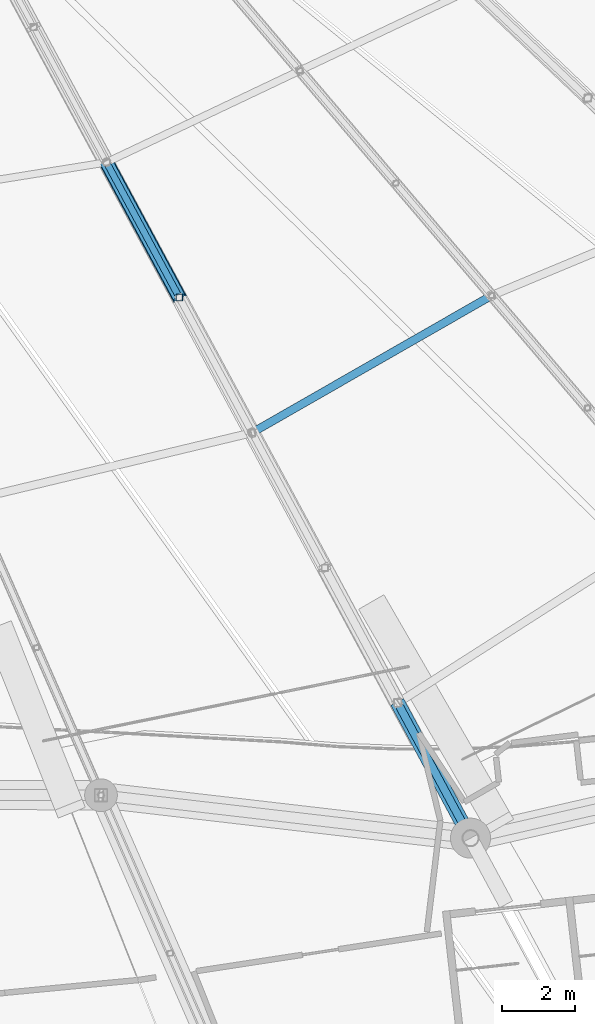
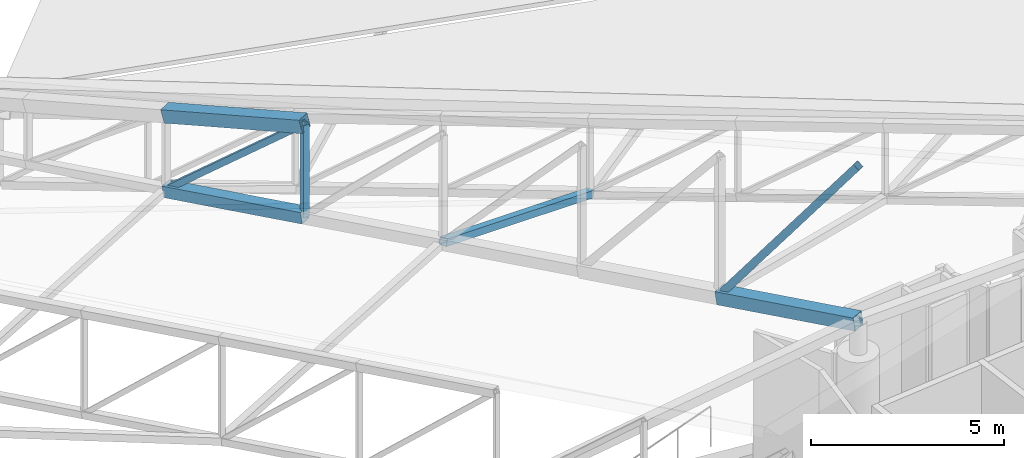
# One storey, part 74 of 344: 7 members.
"""IFC4 building model written with IfcOpenShell, lengths in metres."""

from ifc_helpers import new_model, si_unit, direction, frame, origin, origin_2d, place, context, subcontext, project, spatial, hollow_rectangle, extrude, material, material_profile, profile_set, type_object, element, save


model = new_model("IFC4")

# Units and contexts
model_context = context("Model", 3, precision=1e-05, world=origin(), true_north=direction((0.0, 1.0)))
body_context = subcontext(model_context, "Body", "Model", "MODEL_VIEW")
ifc_project = project(units=[si_unit("LENGTHUNIT", "METRE"), si_unit("AREAUNIT", "SQUARE_METRE"), si_unit("VOLUMEUNIT", "CUBIC_METRE"), si_unit("PLANEANGLEUNIT", "RADIAN"), si_unit("MASSUNIT", "GRAM", prefix="KILO")], contexts=[model_context])

# Site, building, storey
site_placement = place(None, origin())
site = spatial("IfcSite", under=ifc_project, at=site_placement, CompositionType="ELEMENT")
building_placement = place(site_placement, origin())
building = spatial("IfcBuilding", under=site, at=building_placement, Name="Meseta Stadium", CompositionType="ELEMENT")
storey_placement = place(building_placement, frame((0.0, 0.0, 24.0)))
storey = spatial("IfcBuildingStorey", under=building, at=storey_placement, Name="L04", CompositionType="ELEMENT", Elevation=24.0)

# Members
ifc_material_1 = material(Name="Steel S355", Category="steel")
ifc_material_profile_1 = material_profile(ifc_material_1, hollow_rectangle(XDim=0.179931640625, YDim=0.179931640625, WallThickness=0.00634765625, at=origin_2d()), Name="SHS 180x180x6.3")
ifc_profile_set_1 = profile_set([ifc_material_profile_1], Name="Steel S355")
member_type_1 = type_object("IfcMemberType", Name="SHS 180x180x6.3 diagonal", PredefinedType="BRACE", material=ifc_profile_set_1)
member_1_placement = place(storey_placement, frame((34.68212890625, -72.526123046875, 3.37158203125), z_axis=(0.359790502556, -0.667849867311, 0.65155763291), x_axis=(0.880372563769, 0.474282773209, 0.0)))
element("IfcMember", 1, at=member_1_placement, inside=storey, type_object=member_type_1, Name="ROOF TRUSS RT-50 diagonal", PredefinedType="BRACE", context=body_context, shape_type="SweptSolid", body=[
    extrude(hollow_rectangle(XDim=0.179931640625, YDim=0.179931640625, WallThickness=0.00634765625, at=origin_2d()), origin(), (0.0, 0.0, 1.0), 5.5595703125),
])
ifc_material_2 = material(Name="Steel S355", Category="steel")
ifc_material_profile_2 = material_profile(ifc_material_2, hollow_rectangle(XDim=0.179931640625, YDim=0.179931640625, WallThickness=0.00634765625, at=origin_2d()), Name="SHS 180x180x6.3")
ifc_profile_set_2 = profile_set([ifc_material_profile_2], Name="Steel S355")
member_type_2 = type_object("IfcMemberType", Name="SHS 180x180x6.3 post", PredefinedType="POST", material=ifc_profile_set_2)
member_2_placement = place(storey_placement, frame((36.682373046875, -76.239013671875, 4.085205078125), z_axis=(0.0, 0.0, 1.0), x_axis=(1.0, 0.0, 0.0)))
element("IfcMember", 2, at=member_2_placement, inside=storey, type_object=member_type_2, Name="ROOF TRUSS RT-50 post", PredefinedType="POST", context=body_context, shape_type="SweptSolid", body=[
    extrude(hollow_rectangle(XDim=0.179931640625, YDim=0.179931640625, WallThickness=0.00634765625, at=origin_2d()), origin(), (0.0, 0.0, 1.0), 2.90869140625),
])
ifc_material_3 = material(Name="Steel S355", Category="steel")
ifc_material_profile_3 = material_profile(ifc_material_3, hollow_rectangle(XDim=0.219970703125, YDim=0.219970703125, WallThickness=0.008056640625, at=origin_2d()), Name="SHS 220x220x8")
ifc_profile_set_3 = profile_set([ifc_material_profile_3], Name="Steel S355")
member_type_3 = type_object("IfcMemberType", Name="SHS 220x220x8 diagonal", PredefinedType="BRACE", material=ifc_profile_set_3)
member_3_placement = place(storey_placement, frame((42.682373046875, -87.3779296875, 6.225830078125), z_axis=(0.28421947005, -0.527573501833, 0.800553241833), x_axis=(0.880372563769, 0.474282773209, 0.0)))
element("IfcMember", 3, at=member_3_placement, inside=storey, type_object=member_type_3, Name="ROOF TRUSS RT-50 diagonal", PredefinedType="BRACE", context=body_context, shape_type="SweptSolid", body=[
    extrude(hollow_rectangle(XDim=0.219970703125, YDim=0.219970703125, WallThickness=0.008056640625, at=origin_2d()), origin(), (0.0, 0.0, 1.0), 7.03759765625),
])
ifc_material_4 = material(Name="Steel S355", Category="steel")
ifc_material_profile_4 = material_profile(ifc_material_4, hollow_rectangle(XDim=0.219970703125, YDim=0.219970703125, WallThickness=0.008056640625, at=origin_2d()), Name="SHS 220x220x8")
ifc_profile_set_4 = profile_set([ifc_material_profile_4], Name="Steel S355")
member_type_4 = type_object("IfcMemberType", Name="SHS 220x220x8 strut", PredefinedType="STRUT", material=ifc_profile_set_4)
member_4_placement = place(storey_placement, frame((38.682373046875, -79.9521484375, 4.798828125), z_axis=(0.805323989581, 0.461209819907, -0.37247654131), x_axis=(-0.496971058122, 0.867767115872, 0.0)))
element("IfcMember", 4, at=member_4_placement, inside=storey, type_object=member_type_4, Name="ROOF TRUSS STRUT RT-50/51", PredefinedType="STRUT", context=body_context, shape_type="SweptSolid", body=[
    extrude(hollow_rectangle(XDim=0.219970703125, YDim=0.219970703125, WallThickness=0.008056640625, at=origin_2d()), origin(), (0.0, 0.0, 1.0), 8.1689453125),
])
ifc_material_5 = material(Name="Steel S355", Category="steel")
ifc_material_profile_5 = material_profile(ifc_material_5, hollow_rectangle(XDim=0.35009765625, YDim=0.35009765625, WallThickness=0.010009765625, at=origin_2d()), Name="SHS 350x350x10")
ifc_profile_set_5 = profile_set([ifc_material_profile_5], Name="Steel S355")
member_type_5 = type_object("IfcMemberType", Name="SHS 350x350x10 bottom chord", PredefinedType="CHORD", material=ifc_profile_set_5)
member_5_placement = place(storey_placement, frame((34.68212890625, -72.526123046875, 3.37158203125), z_axis=(0.467635430822, -0.868033642371, 0.166837344598), x_axis=(0.880372563769, 0.474282773209, 0.0)))
element("IfcMember", 5, at=member_5_placement, inside=storey, type_object=member_type_5, Name="ROOF TRUSS RT-50 bottom chord", PredefinedType="CHORD", context=body_context, shape_type="SweptSolid", body=[
    extrude(hollow_rectangle(XDim=0.35009765625, YDim=0.35009765625, WallThickness=0.010009765625, at=origin_2d()), origin(), (0.0, 0.0, 1.0), 4.27734375),
])
ifc_material_6 = material(Name="Steel S355", Category="steel")
ifc_material_profile_6 = material_profile(ifc_material_6, hollow_rectangle(XDim=0.39990234375, YDim=0.39990234375, WallThickness=0.010009765625, at=origin_2d()), Name="SHS 400x400x10")
ifc_profile_set_6 = profile_set([ifc_material_profile_6], Name="Steel S355")
member_type_6 = type_object("IfcMemberType", Name="SHS 400x400x10 top chord", PredefinedType="CHORD", material=ifc_profile_set_6)
member_6_placement = place(storey_placement, frame((34.68212890625, -72.526123046875, 5.77734375), z_axis=(0.455702289582, -0.845883122172, 0.277159100328), x_axis=(0.880372563769, 0.474282773209, 0.0)))
element("IfcMember", 6, at=member_6_placement, inside=storey, type_object=member_type_6, Name="ROOF TRUSS RT-50 top chord", PredefinedType="CHORD", context=body_context, shape_type="SweptSolid", body=[
    extrude(hollow_rectangle(XDim=0.39990234375, YDim=0.39990234375, WallThickness=0.010009765625, at=origin_2d()), origin(), (0.0, 0.0, 1.0), 4.389404296875),
])
ifc_material_7 = material(Name="Steel S355", Category="steel")
ifc_material_profile_7 = material_profile(ifc_material_7, hollow_rectangle(XDim=0.39990234375, YDim=0.39990234375, WallThickness=0.01416015625, at=origin_2d()), Name="SHS 400x400x14.2")
ifc_profile_set_7 = profile_set([ifc_material_profile_7], Name="Steel S355")
member_type_7 = type_object("IfcMemberType", Name="SHS 400x400x14.2 bottom chord", PredefinedType="CHORD", material=ifc_profile_set_7)
member_7_placement = place(storey_placement, frame((42.682373046875, -87.3779296875, 6.225830078125), z_axis=(0.467635430822, -0.868033642371, 0.166837344598), x_axis=(0.880372563769, 0.474282773209, 0.0)))
element("IfcMember", 7, at=member_7_placement, inside=storey, type_object=member_type_7, Name="ROOF TRUSS RT-50 bottom chord", PredefinedType="CHORD", context=body_context, shape_type="SweptSolid", body=[
    extrude(hollow_rectangle(XDim=0.39990234375, YDim=0.39990234375, WallThickness=0.01416015625, at=origin_2d()), origin(), (0.0, 0.0, 1.0), 4.27734375),
])

save(model, "model.ifc")
